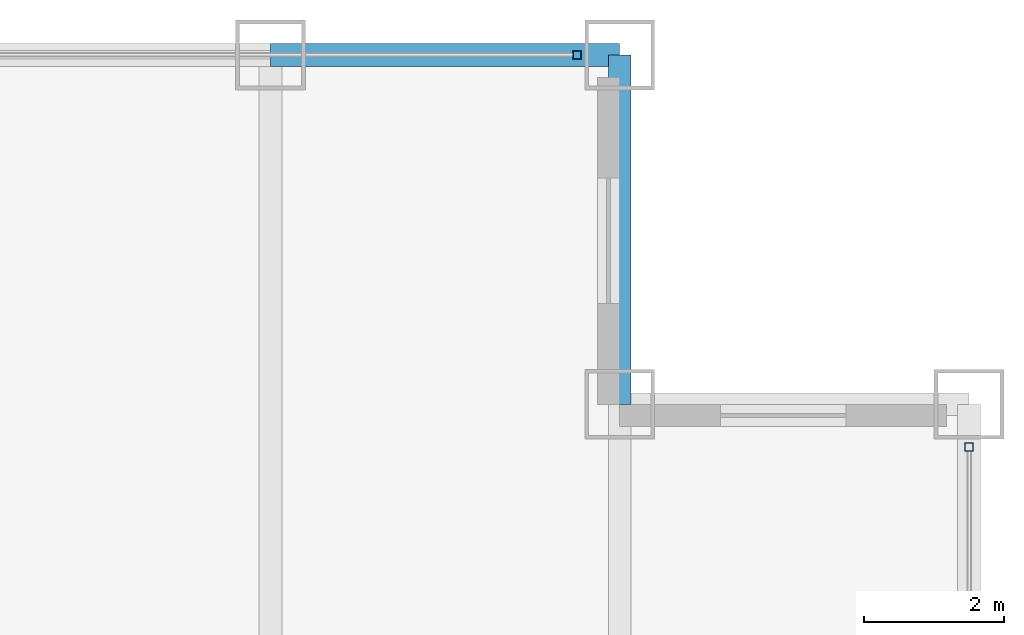
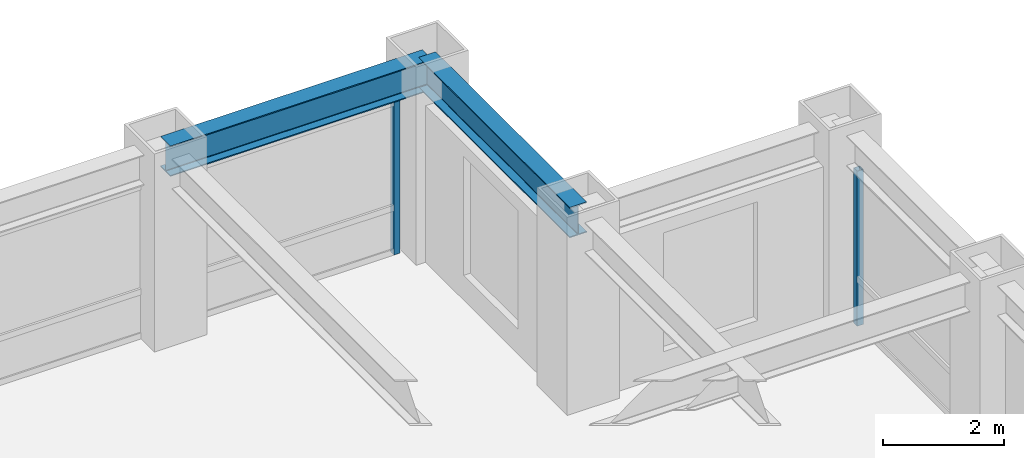
# One storey, part 18 of 24: 2 beams, 2 members, 2 elements without a shape of their own.
"""IFC4 building model written with IfcOpenShell, lengths in metres."""

from ifc_helpers import new_model, si_unit, direction, frame, origin, origin_2d, place, context, subcontext, project, spatial, hollow_rectangle, i_section, extrude, source, transform, mapped, material, material_profile, profile_set, type_object, element, aggregate, save


model = new_model("IFC4")

# Units and contexts
model_context = context("Model", 3, precision=1e-05, world=origin(), true_north=direction((0.0, 1.0)))
body_context = subcontext(model_context, "Body", "Model", "MODEL_VIEW")
ifc_project = project(units=[si_unit("LENGTHUNIT", "METRE"), si_unit("AREAUNIT", "SQUARE_METRE"), si_unit("VOLUMEUNIT", "CUBIC_METRE"), si_unit("PLANEANGLEUNIT", "RADIAN"), si_unit("MASSUNIT", "GRAM", prefix="KILO")], contexts=[model_context])

# Site, building, storey
site_placement = place(None, origin())
site = spatial("IfcSite", under=ifc_project, at=site_placement, CompositionType="ELEMENT")
building_placement = place(site_placement, origin())
building = spatial("IfcBuilding", under=site, at=building_placement, Name="Khorayat Bourse Tower", CompositionType="ELEMENT")
storey_placement = place(building_placement, frame((0.0, 0.0, 215.10009765625)))
storey = spatial("IfcBuildingStorey", under=building, at=storey_placement, Name="L50", CompositionType="ELEMENT", Elevation=215.10009765625)

# Beams
ifc_material_1 = material(Name="Steel ASTM A992 Grade 50", Category="steel")
ifc_material_profile_1 = material_profile(ifc_material_1, i_section(OverallWidth=0.324951171875, OverallDepth=0.615966796875, WebThickness=0.013916015625, FlangeThickness=0.021484375, FilletRadius=0.01611328125, at=origin_2d()), Name="W610X174")
ifc_profile_set_1 = profile_set([ifc_material_profile_1], Name="Steel ASTM A992 Grade 50")
beam_type = type_object("IfcBeamType", Name="BM-SPAN-610", PredefinedType="SPANDREL", material=ifc_profile_set_1)
shared_shape_1 = source(origin(), body_context, "Body", "SweptSolid", [
    extrude(i_section(OverallWidth=0.324951171875, OverallDepth=0.615966796875, WebThickness=0.013916015625, FlangeThickness=0.021484375, FilletRadius=0.01611328125, at=origin_2d()), origin(), (0.0, 0.0, 1.0), 5.0),
])
for number, where, z_axis, x_axis, name in (
    (1, (25.0, 25.0, 3.471923828125), (0.0, 1.0, 0.0), (-1.0, 0.0, 0.0), "L50 BM-SPAN-610 BM-L50-SPN-043"),
    (2, (20.0, 30.0, 3.471923828125), (1.0, 0.0, 0.0), (0.0, 1.0, 0.0), "L50 BM-SPAN-610 BM-L50-SPN-044"),
):
    element("IfcBeam", number, at=place(storey_placement, frame(where, z_axis=z_axis, x_axis=x_axis)), inside=storey, type_object=beam_type, Name=name, PredefinedType="SPANDREL", context=body_context, shape_type="MappedRepresentation", body=[
        mapped(shared_shape_1, transform((0.0, 0.0, 0.0), scale=1.0)),
    ])

# Curtain wall, member
ifc_material_2 = material(Name="Aluminium EN AW-6063 T6", Category="aluminium")
curtain_wall_type = type_object("IfcCurtainWallType", Name="CW-SYS-03", PredefinedType="NOTDEFINED", material=ifc_material_2)
curtain_wall_1_placement = place(storey_placement, origin())
curtain_wall_1 = element("IfcCurtainWall", 3, at=curtain_wall_1_placement, inside=storey, type_object=curtain_wall_type, Name="L50 Curtain Wall CW-L50-N1", PredefinedType="NOTDEFINED")
ifc_material_profile_2 = material_profile(ifc_material_2, hollow_rectangle(XDim=0.1201171875, YDim=0.1201171875, WallThickness=0.0048828125, at=origin_2d()), Name="ALU 120x120x5")
ifc_profile_set_2 = profile_set([ifc_material_profile_2], Name="Aluminium EN AW-6063 T6")
member_type = type_object("IfcMemberType", Name="CWM-VERT-120", PredefinedType="MULLION", material=ifc_profile_set_2)
shared_shape_2 = source(origin(), body_context, "Body", "SweptSolid", [
    extrude(hollow_rectangle(XDim=0.1201171875, YDim=0.1201171875, WallThickness=0.0048828125, at=origin_2d()), origin(), (0.0, 0.0, 1.0), 3.1298828125),
])
member_1_placement = place(storey_placement, frame((24.389892578125, 30.0, 0.0), z_axis=(0.0, 0.0, 1.0), x_axis=(0.0, 1.0, 0.0)))
member_1 = element("IfcMember", 4, at=member_1_placement, type_object=member_type, Name="CW-L50-N1 Vertical Mullion 3", PredefinedType="MULLION", context=body_context, shape_type="MappedRepresentation", body=[
    mapped(shared_shape_2, transform((0.0, 0.0, 0.0), scale=1.0)),
])
aggregate(curtain_wall_1, [member_1])

curtain_wall_2_placement = place(storey_placement, origin())
curtain_wall_2 = element("IfcCurtainWall", 5, at=curtain_wall_2_placement, inside=storey, type_object=curtain_wall_type, Name="L50 Curtain Wall CW-L50-E1", PredefinedType="NOTDEFINED")
member_2_placement = place(storey_placement, frame((30.0, 24.389892578125, 0.0), z_axis=(0.0, 0.0, 1.0), x_axis=(-1.0, 0.0, 0.0)))
member_2 = element("IfcMember", 6, at=member_2_placement, type_object=member_type, Name="CW-L50-E1 Vertical Mullion 3", PredefinedType="MULLION", context=body_context, shape_type="MappedRepresentation", body=[
    mapped(shared_shape_2, transform((0.0, 0.0, 0.0), scale=1.0)),
])
aggregate(curtain_wall_2, [member_2])

save(model, "model.ifc")
